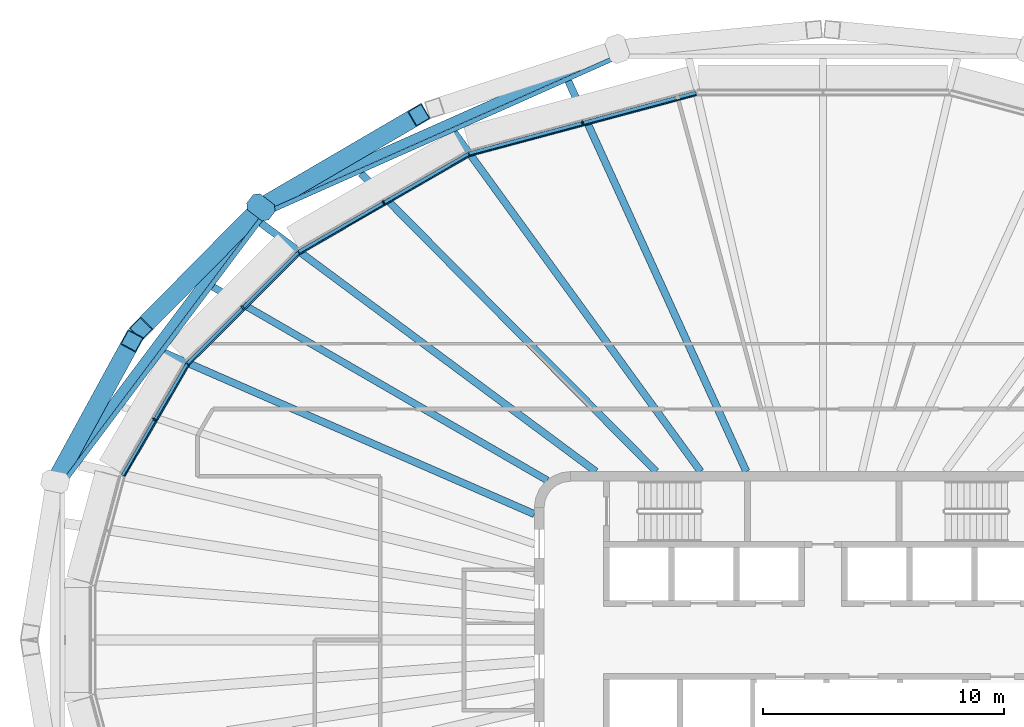
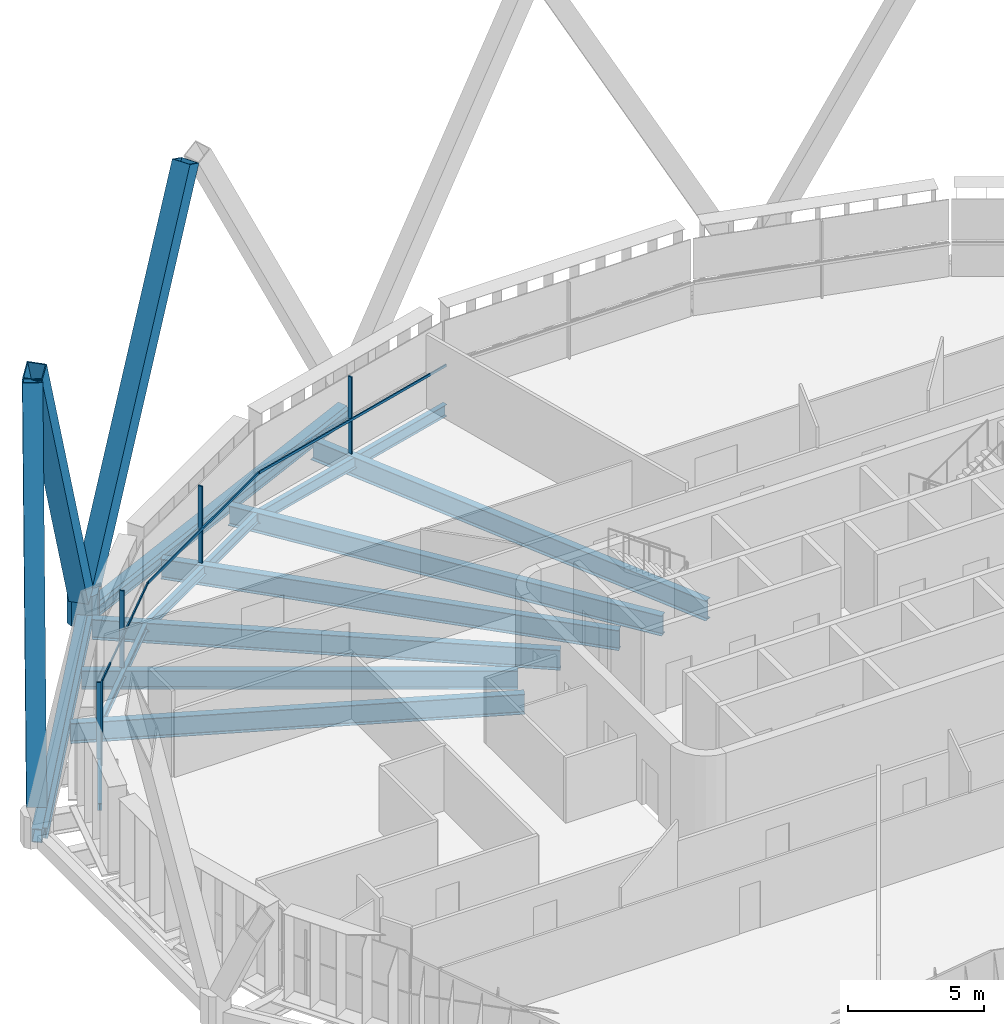
# One storey, part 7 of 22: 14 beams, 12 members, 4 elements without a shape of their own.
"""IFC4 building model written with IfcOpenShell, lengths in metres."""

from ifc_helpers import new_model, si_unit, direction, frame, origin, origin_2d, place, context, subcontext, project, spatial, polyline, rectangle, hollow_rectangle, i_section, outline, extrude, material, layer, layer_set, material_profile, profile_set, type_object, element, aggregate, save


model = new_model("IFC4")

# Units and contexts
model_context = context("Model", 3, precision=1e-05, world=origin(), true_north=direction((0.0, 1.0)))
body_context = subcontext(model_context, "Body", "Model", "MODEL_VIEW")
ifc_project = project(units=[si_unit("LENGTHUNIT", "METRE"), si_unit("AREAUNIT", "SQUARE_METRE"), si_unit("VOLUMEUNIT", "CUBIC_METRE"), si_unit("PLANEANGLEUNIT", "RADIAN"), si_unit("MASSUNIT", "GRAM", prefix="KILO")], contexts=[model_context])

# Site, building, storey
site_placement = place(None, origin())
site = spatial("IfcSite", under=ifc_project, at=site_placement, CompositionType="ELEMENT")
building_placement = place(site_placement, origin())
building = spatial("IfcBuilding", under=site, at=building_placement, Name="Sahrelin Media Tower", CompositionType="ELEMENT")
storey_placement = place(building_placement, frame((0.0, 0.0, 233.60009765625)))
storey = spatial("IfcBuildingStorey", under=building, at=storey_placement, Name="L50", CompositionType="ELEMENT", Elevation=233.60009765625)

# Members
ifc_material_1 = material(Name="Steel S460", Category="steel")
ifc_material_profile_1 = material_profile(ifc_material_1, hollow_rectangle(XDim=0.75, YDim=0.75, WallThickness=0.0400390625, at=origin_2d()), Name="Diagrid diagonal DG6")
ifc_profile_set_1 = profile_set([ifc_material_profile_1], Name="Steel S460")
member_type_1 = type_object("IfcMemberType", Name="Diagrid diagonal DG6", PredefinedType="BRACE", material=ifc_profile_set_1)
member_1_placement = place(storey_placement, frame((-23.065185546875, 18.159912109375, 0.699951171875), z_axis=(0.384260974099, 0.22458774364, 0.895490842606), x_axis=(-0.504600914785, 0.863352718649, 0.0)))
element("IfcMember", 1, at=member_1_placement, inside=storey, type_object=member_type_1, Name="Diagrid diagonal D11-08", PredefinedType="BRACE", context=body_context, shape_type="SweptSolid", body=[
    extrude(hollow_rectangle(XDim=0.75, YDim=0.75, WallThickness=0.0400390625, at=origin_2d()), origin(), (0.0, 0.0, 1.0), 16.3037109375),
])
member_2_placement = place(storey_placement, frame((-23.59375, 17.75341796875, 0.699951171875), z_axis=(-0.295554032604, -0.299619341613, 0.90712516443), x_axis=(0.711920039863, -0.70226053345, 0.0)))
element("IfcMember", 2, at=member_2_placement, inside=storey, type_object=member_type_1, Name="Diagrid diagonal D11-09", PredefinedType="BRACE", context=body_context, shape_type="SweptSolid", body=[
    extrude(hollow_rectangle(XDim=0.75, YDim=0.75, WallThickness=0.0400390625, at=origin_2d()), origin(), (0.0, 0.0, 1.0), 16.0947265625),
])
member_3_placement = place(storey_placement, frame((-31.772216796875, 6.850341796875, 0.699951171875), z_axis=(0.191358854383, 0.350523060937, 0.916796254683), x_axis=(-0.877722398999, 0.47916947972, 0.0)))
element("IfcMember", 3, at=member_3_placement, inside=storey, type_object=member_type_1, Name="Diagrid diagonal D11-10", PredefinedType="BRACE", context=body_context, shape_type="SweptSolid", body=[
    extrude(hollow_rectangle(XDim=0.75, YDim=0.75, WallThickness=0.0400390625, at=origin_2d()), origin(), (0.0, 0.0, 1.0), 15.9248046875),
])
ifc_material_profile_2 = material_profile(ifc_material_1, outline(polyline([(0.375, -0.425048828125), (0.574951171875, -0.22509765625), (0.574951171875, 0.22509765625), (0.375, 0.425048828125), (-0.375, 0.425048828125), (-0.574951171875, 0.22509765625), (-0.574951171875, -0.22509765625), (-0.375, -0.425048828125), (0.375, -0.425048828125)])), Name="Diagrid node block 1150")
ifc_profile_set_2 = profile_set([ifc_material_profile_2], Name="Steel S460")
member_type_2 = type_object("IfcMemberType", Name="Diagrid node block 1150", PredefinedType="USERDEFINED", material=ifc_profile_set_2)
member_4_placement = place(storey_placement, frame((-23.36572265625, 17.984619140625, -0.7001953125), z_axis=(0.0, 0.0, 1.0), x_axis=(-0.792445093645, 0.609943254376, 0.0)))
element("IfcMember", 4, at=member_4_placement, inside=storey, type_object=member_type_2, Name="Diagrid node N11-04", ObjectType="NODE", PredefinedType="USERDEFINED", context=body_context, shape_type="SweptSolid", body=[
    extrude(outline(polyline([(0.375, -0.425048828125), (0.574951171875, -0.22509765625), (0.574951171875, 0.22509765625), (0.375, 0.425048828125), (-0.375, 0.425048828125), (-0.574951171875, 0.22509765625), (-0.574951171875, -0.22509765625), (-0.375, -0.425048828125), (0.375, -0.425048828125)])), origin(), (0.0, 0.0, 1.0), 1.400146484375),
])

# Beams
ifc_material_profile_3 = material_profile(ifc_material_1, hollow_rectangle(XDim=0.39990234375, YDim=0.60009765625, WallThickness=0.030029296875, at=origin_2d()), Name="Diagrid ring beam RB1")
ifc_profile_set_3 = profile_set([ifc_material_profile_3], Name="Steel S460")
beam_type_1 = type_object("IfcBeamType", Name="Diagrid ring beam RB1", PredefinedType="BEAM", material=ifc_profile_set_3)
beam_1_placement = place(storey_placement, frame((-8.552490234375, 24.5673828125, -0.4501953125), z_axis=(-0.91383204297, -0.406092350632, 0.0), x_axis=(0.406092350632, -0.91383204297, 0.0)))
element("IfcBeam", 5, at=beam_1_placement, inside=storey, type_object=beam_type_1, Name="Diagrid ring beam RB11-03", PredefinedType="BEAM", context=body_context, shape_type="SweptSolid", body=[
    extrude(hollow_rectangle(XDim=0.39990234375, YDim=0.60009765625, WallThickness=0.030029296875, at=origin_2d()), origin(), (0.0, 0.0, 1.0), 16.2099609375),
])
beam_2_placement = place(storey_placement, frame((-23.36572265625, 17.984619140625, -0.4501953125), z_axis=(-0.600049330653, -0.799962999634, 0.0), x_axis=(0.799962999634, -0.600049330653, 0.0)))
element("IfcBeam", 6, at=beam_2_placement, inside=storey, type_object=beam_type_1, Name="Diagrid ring beam RB11-04", PredefinedType="BEAM", context=body_context, shape_type="SweptSolid", body=[
    extrude(hollow_rectangle(XDim=0.39990234375, YDim=0.60009765625, WallThickness=0.030029296875, at=origin_2d()), origin(), (0.0, 0.0, 1.0), 14.2529296875),
])
ifc_material_2 = material(Name="Steel S355", Category="steel")
ifc_material_profile_4 = material_profile(ifc_material_2, i_section(OverallWidth=0.1650390625, OverallDepth=0.303466796875, WebThickness=0.006103515625, FlangeThickness=0.01025390625, FilletRadius=0.0087890625, at=origin_2d()), Name="UB 305x165x40")
ifc_profile_set_4 = profile_set([ifc_material_profile_4], Name="Steel S355")
beam_type_2 = type_object("IfcBeamType", Name="Edge beam EB2", PredefinedType="BEAM", material=ifc_profile_set_4)
beam_3_placement = place(storey_placement, frame((-29.095458984375, 6.83056640625, -0.3017578125), z_axis=(0.500026652407, 0.866010015463, 0.0), x_axis=(-0.866010015463, 0.500026652407, 0.0)))
element("IfcBeam", 7, at=beam_3_placement, inside=storey, type_object=beam_type_2, Name="Edge beam L50-15", PredefinedType="BEAM", context=body_context, shape_type="SweptSolid", body=[
    extrude(i_section(OverallWidth=0.1650390625, OverallDepth=0.303466796875, WebThickness=0.006103515625, FlangeThickness=0.01025390625, FilletRadius=0.0087890625, at=origin_2d()), origin(), (0.0, 0.0, 1.0), 5.349365234375),
])
ifc_material_profile_5 = material_profile(ifc_material_2, i_section(OverallWidth=0.17138671875, OverallDepth=0.35498046875, WebThickness=0.00732421875, FlangeThickness=0.011474609375, FilletRadius=0.01025390625, at=origin_2d()), Name="UB 356x171x51")
ifc_profile_set_5 = profile_set([ifc_material_profile_5], Name="Steel S355")
beam_type_3 = type_object("IfcBeamType", Name="Edge beam EB3", PredefinedType="BEAM", material=ifc_profile_set_5)
beam_4_placement = place(storey_placement, frame((-26.4033203125, 11.486083984375, -0.32763671875), z_axis=(0.707106781187, 0.707106781187, 0.0), x_axis=(-0.707106781187, 0.707106781187, 0.0)))
element("IfcBeam", 8, at=beam_4_placement, inside=storey, type_object=beam_type_3, Name="Edge beam L50-16", PredefinedType="BEAM", context=body_context, shape_type="SweptSolid", body=[
    extrude(i_section(OverallWidth=0.17138671875, OverallDepth=0.35498046875, WebThickness=0.00732421875, FlangeThickness=0.011474609375, FilletRadius=0.01025390625, at=origin_2d()), origin(), (0.0, 0.0, 1.0), 6.51416015625),
])
ifc_material_profile_6 = material_profile(ifc_material_2, i_section(OverallWidth=0.1904296875, OverallDepth=0.45703125, WebThickness=0.009033203125, FlangeThickness=0.014404296875, FilletRadius=0.01025390625, at=origin_2d()), Name="UB 457x191x74")
ifc_profile_set_6 = profile_set([ifc_material_profile_6], Name="Steel S355")
beam_type_4 = type_object("IfcBeamType", Name="Edge beam EB5", PredefinedType="BEAM", material=ifc_profile_set_6)
beam_5_placement = place(storey_placement, frame((-21.774169921875, 16.10986328125, -0.378662109375), z_axis=(0.866022173658, 0.500005594701, 0.0), x_axis=(-0.500005594701, 0.866022173658, 0.0)))
element("IfcBeam", 9, at=beam_5_placement, inside=storey, type_object=beam_type_4, Name="Edge beam L50-17", PredefinedType="BEAM", context=body_context, shape_type="SweptSolid", body=[
    extrude(i_section(OverallWidth=0.1904296875, OverallDepth=0.45703125, WebThickness=0.009033203125, FlangeThickness=0.014404296875, FilletRadius=0.01025390625, at=origin_2d()), origin(), (0.0, 0.0, 1.0), 8.1357421875),
])
ifc_material_profile_7 = material_profile(ifc_material_2, i_section(OverallWidth=0.208740234375, OverallDepth=0.5283203125, WebThickness=0.009521484375, FlangeThickness=0.01318359375, FilletRadius=0.0126953125, at=origin_2d()), Name="UB 533x210x82")
ifc_profile_set_7 = profile_set([ifc_material_profile_7], Name="Steel S355")
beam_type_5 = type_object("IfcBeamType", Name="Edge beam EB6", PredefinedType="BEAM", material=ifc_profile_set_7)
beam_6_placement = place(storey_placement, frame((-14.701904296875, 20.188720703125, -0.414306640625), z_axis=(0.965929187001, 0.258806502428, 0.0), x_axis=(-0.258806502428, 0.965929187001, 0.0)))
element("IfcBeam", 10, at=beam_6_placement, inside=storey, type_object=beam_type_5, Name="Edge beam L50-18", PredefinedType="BEAM", context=body_context, shape_type="SweptSolid", body=[
    extrude(i_section(OverallWidth=0.208740234375, OverallDepth=0.5283203125, WebThickness=0.009521484375, FlangeThickness=0.01318359375, FilletRadius=0.0126953125, at=origin_2d()), origin(), (0.0, 0.0, 1.0), 9.762451171875),
])

# Curtain wall, member
ifc_material_3 = material(Name="Champagne anodised aluminium 6063-T6", Category="aluminium")
ifc_layer = layer(ifc_material_3, 0.14990234375)
ifc_layer_set = layer_set([ifc_layer], Name="Tower ribbon curtain wall")
curtain_wall_type = type_object("IfcCurtainWallType", Name="Tower ribbon curtain wall", PredefinedType="NOTDEFINED", material=ifc_layer_set)
curtain_wall_1_placement = place(storey_placement, frame((-10.025634765625, 21.596923828125, 0.0), z_axis=(0.0, 0.0, 1.0), x_axis=(1.0, 0.0, 0.0)))
curtain_wall_1 = element("IfcCurtainWall", 11, at=curtain_wall_1_placement, inside=storey, type_object=curtain_wall_type, Name="L50:CW:L50-07", PredefinedType="NOTDEFINED")
ifc_material_profile_8 = material_profile(ifc_material_3, rectangle(XDim=0.06005859375, YDim=0.175048828125, at=origin_2d()), Name="Mullion 60x175")
ifc_profile_set_8 = profile_set([ifc_material_profile_8], Name="Champagne anodised aluminium 6063-T6")
member_type_3 = type_object("IfcMemberType", Name="Mullion 60x175 CW1B", PredefinedType="MULLION", material=ifc_profile_set_8)
member_5_placement = place(storey_placement, frame((-9.997802734375, 21.4931640625, 0.0), z_axis=(0.0, 0.0, 1.0), x_axis=(-0.965925826289, -0.258819045103, 0.0)))
member_5 = element("IfcMember", 12, at=member_5_placement, type_object=member_type_3, Name="L50:CWM:L50-07", PredefinedType="MULLION", context=body_context, shape_type="SweptSolid", body=[
    extrude(rectangle(XDim=0.06005859375, YDim=0.175048828125, at=origin_2d()), origin(), (0.0, 0.0, 1.0), 3.448486328125),
])

curtain_wall_2_placement = place(storey_placement, frame((-18.326416015625, 18.273681640625, 0.0), z_axis=(0.0, 0.0, 1.0), x_axis=(1.0, 0.0, 0.0)))
curtain_wall_2 = element("IfcCurtainWall", 13, at=curtain_wall_2_placement, inside=storey, type_object=curtain_wall_type, Name="L50:CW:L50-08", PredefinedType="NOTDEFINED")
member_6_placement = place(storey_placement, frame((-18.272705078125, 18.1806640625, 0.0), z_axis=(0.0, 0.0, 1.0), x_axis=(-0.866027149108, -0.499996976998, 0.0)))
member_6 = element("IfcMember", 14, at=member_6_placement, type_object=member_type_3, Name="L50:CWM:L50-08", PredefinedType="MULLION", context=body_context, shape_type="SweptSolid", body=[
    extrude(rectangle(XDim=0.06005859375, YDim=0.175048828125, at=origin_2d()), origin(), (0.0, 0.0, 1.0), 3.448486328125),
])

curtain_wall_3_placement = place(storey_placement, frame((-24.206298828125, 13.895263671875, 0.0), z_axis=(0.0, 0.0, 1.0), x_axis=(1.0, 0.0, 0.0)))
curtain_wall_3 = element("IfcCurtainWall", 15, at=curtain_wall_3_placement, inside=storey, type_object=curtain_wall_type, Name="L50:CW:L50-09", PredefinedType="NOTDEFINED")
member_7_placement = place(storey_placement, frame((-24.130126953125, 13.819091796875, 0.0), z_axis=(0.0, 0.0, 1.0), x_axis=(-0.707099376343, -0.707114185953, 0.0)))
member_7 = element("IfcMember", 16, at=member_7_placement, type_object=member_type_3, Name="L50:CWM:L50-09", PredefinedType="MULLION", context=body_context, shape_type="SweptSolid", body=[
    extrude(rectangle(XDim=0.06005859375, YDim=0.175048828125, at=origin_2d()), origin(), (0.0, 0.0, 1.0), 3.448486328125),
])

curtain_wall_4_placement = place(storey_placement, frame((-27.887939453125, 9.221923828125, 0.0), z_axis=(0.0, 0.0, 1.0), x_axis=(1.0, 0.0, 0.0)))
curtain_wall_4 = element("IfcCurtainWall", 17, at=curtain_wall_4_placement, inside=storey, type_object=curtain_wall_type, Name="L50:CW:L50-10", PredefinedType="NOTDEFINED")
member_8_placement = place(storey_placement, frame((-27.794921875, 9.168212890625, 0.0), z_axis=(0.0, 0.0, 1.0), x_axis=(-0.500001511499, -0.866024531118, 0.0)))
member_8 = element("IfcMember", 18, at=member_8_placement, type_object=member_type_3, Name="L50:CWM:L50-10", PredefinedType="MULLION", context=body_context, shape_type="SweptSolid", body=[
    extrude(rectangle(XDim=0.06005859375, YDim=0.175048828125, at=origin_2d()), origin(), (0.0, 0.0, 1.0), 3.448486328125),
])

# Beams
ifc_material_profile_9 = material_profile(ifc_material_2, i_section(OverallWidth=0.30322265625, OverallDepth=0.903076171875, WebThickness=0.01513671875, FlangeThickness=0.020263671875, FilletRadius=0.01904296875, at=origin_2d()), Name="UB 914x305x201")
ifc_profile_set_9 = profile_set([ifc_material_profile_9], Name="Steel S355")
beam_type_6 = type_object("IfcBeamType", Name="Radial primary beam PB11", PredefinedType="BEAM", material=ifc_profile_set_9)
beam_7_placement = place(storey_placement, frame((-5.088134765625, 7.0, -0.6015625), z_axis=(-0.587974519617, 0.808879449783, 0.0), x_axis=(-0.808879449783, -0.587974519617, 0.0)))
element("IfcBeam", 19, at=beam_7_placement, inside=storey, type_object=beam_type_6, Name="Radial beam L50-08", PredefinedType="BEAM", context=body_context, shape_type="SweptSolid", body=[
    extrude(i_section(OverallWidth=0.30322265625, OverallDepth=0.903076171875, WebThickness=0.01513671875, FlangeThickness=0.020263671875, FilletRadius=0.01904296875, at=origin_2d()), origin(), (0.0, 0.0, 1.0), 17.44970703125),
])
beam_8_placement = place(storey_placement, frame((-9.440673828125, 7.0, -0.6015625), z_axis=(-0.803276687883, 0.595606046564, 0.0), x_axis=(-0.595606046564, -0.803276687883, 0.0)))
element("IfcBeam", 20, at=beam_8_placement, inside=storey, type_object=beam_type_6, Name="Radial beam L50-09", PredefinedType="BEAM", context=body_context, shape_type="SweptSolid", body=[
    extrude(i_section(OverallWidth=0.30322265625, OverallDepth=0.903076171875, WebThickness=0.01513671875, FlangeThickness=0.020263671875, FilletRadius=0.01904296875, at=origin_2d()), origin(), (0.0, 0.0, 1.0), 17.335693359375),
])
beam_9_placement = place(storey_placement, frame((-12.0, 5.231689453125, -0.6015625), z_axis=(-0.91667085004, 0.399643031575, 0.0), x_axis=(-0.399643031575, -0.91667085004, 0.0)))
element("IfcBeam", 21, at=beam_9_placement, inside=storey, type_object=beam_type_6, Name="Radial beam L50-10", PredefinedType="BEAM", context=body_context, shape_type="SweptSolid", body=[
    extrude(i_section(OverallWidth=0.30322265625, OverallDepth=0.903076171875, WebThickness=0.01513671875, FlangeThickness=0.020263671875, FilletRadius=0.01904296875, at=origin_2d()), origin(), (0.0, 0.0, 1.0), 16.80078125),
])
ifc_material_profile_10 = material_profile(ifc_material_2, i_section(OverallWidth=0.291748046875, OverallDepth=0.8349609375, WebThickness=0.013916015625, FlangeThickness=0.018798828125, FilletRadius=0.017822265625, at=origin_2d()), Name="UB 838x292x176")
ifc_profile_set_10 = profile_set([ifc_material_profile_10], Name="Steel S355")
beam_type_7 = type_object("IfcBeamType", Name="Radial secondary beam SB10", PredefinedType="BEAM", material=ifc_profile_set_10)
beam_10_placement = place(storey_placement, frame((-11.46484375, 6.63427734375, -0.567626953125), z_axis=(-0.865538050782, 0.50084317171, 0.0), x_axis=(-0.50084317171, -0.865538050782, 0.0)))
element("IfcBeam", 22, at=beam_10_placement, inside=storey, type_object=beam_type_7, Name="Secondary beam L50-09", PredefinedType="BEAM", context=body_context, shape_type="SweptSolid", body=[
    extrude(i_section(OverallWidth=0.291748046875, OverallDepth=0.8349609375, WebThickness=0.013916015625, FlangeThickness=0.018798828125, FilletRadius=0.017822265625, at=origin_2d()), origin(), (0.0, 0.0, 1.0), 16.049072265625),
])
ifc_material_profile_11 = material_profile(ifc_material_2, i_section(OverallWidth=0.30322265625, OverallDepth=0.903076171875, WebThickness=0.01513671875, FlangeThickness=0.020263671875, FilletRadius=0.01904296875, at=origin_2d()), Name="UB 914x305x201")
ifc_profile_set_11 = profile_set([ifc_material_profile_11], Name="Steel S355")
beam_type_8 = type_object("IfcBeamType", Name="Radial secondary beam SB11", PredefinedType="BEAM", material=ifc_profile_set_11)
beam_11_placement = place(storey_placement, frame((-3.190673828125, 7.0, -0.6015625), z_axis=(-0.414752517697, 0.909934255353, 0.0), x_axis=(-0.909934255353, -0.414752517697, 0.0)))
element("IfcBeam", 23, at=beam_11_placement, inside=storey, type_object=beam_type_8, Name="Secondary beam L50-07", PredefinedType="BEAM", context=body_context, shape_type="SweptSolid", body=[
    extrude(i_section(OverallWidth=0.30322265625, OverallDepth=0.903076171875, WebThickness=0.01513671875, FlangeThickness=0.020263671875, FilletRadius=0.01904296875, at=origin_2d()), origin(), (0.0, 0.0, 1.0), 17.83642578125),
])
beam_12_placement = place(storey_placement, frame((-6.93408203125, 7.0, -0.6015625), z_axis=(-0.703747860582, 0.7104498214, 0.0), x_axis=(-0.7104498214, -0.703747860582, 0.0)))
element("IfcBeam", 24, at=beam_12_placement, inside=storey, type_object=beam_type_8, Name="Secondary beam L50-08", PredefinedType="BEAM", context=body_context, shape_type="SweptSolid", body=[
    extrude(i_section(OverallWidth=0.30322265625, OverallDepth=0.903076171875, WebThickness=0.01513671875, FlangeThickness=0.020263671875, FilletRadius=0.01904296875, at=origin_2d()), origin(), (0.0, 0.0, 1.0), 17.44921875),
])
ifc_material_profile_12 = material_profile(ifc_material_2, i_section(OverallWidth=0.1904296875, OverallDepth=0.45703125, WebThickness=0.009033203125, FlangeThickness=0.014404296875, FilletRadius=0.01025390625, at=origin_2d()), Name="UB 457x191x74")
ifc_profile_set_12 = profile_set([ifc_material_profile_12], Name="Steel S355")
beam_type_9 = type_object("IfcBeamType", Name="Tie chord TC5", PredefinedType="BEAM", material=ifc_profile_set_12)
beam_13_placement = place(storey_placement, frame((-31.617919921875, 6.482666015625, -0.378662109375), z_axis=(0.600049955292, 0.799962531094, 0.0), x_axis=(-0.799962531094, 0.600049955292, 0.0)))
element("IfcBeam", 25, at=beam_13_placement, inside=storey, type_object=beam_type_9, Name="Tie chord L50-08", PredefinedType="BEAM", context=body_context, shape_type="SweptSolid", body=[
    extrude(i_section(OverallWidth=0.1904296875, OverallDepth=0.45703125, WebThickness=0.009033203125, FlangeThickness=0.014404296875, FilletRadius=0.01025390625, at=origin_2d()), origin(), (0.0, 0.0, 1.0), 14.07470703125),
])
beam_14_placement = place(storey_placement, frame((-23.17236328125, 17.741943359375, -0.378662109375), z_axis=(0.913832223904, 0.406091943474, 0.0), x_axis=(-0.406091943474, 0.913832223904, 0.0)))
element("IfcBeam", 26, at=beam_14_placement, inside=storey, type_object=beam_type_9, Name="Tie chord L50-09", PredefinedType="BEAM", context=body_context, shape_type="SweptSolid", body=[
    extrude(i_section(OverallWidth=0.1904296875, OverallDepth=0.45703125, WebThickness=0.009033203125, FlangeThickness=0.014404296875, FilletRadius=0.01025390625, at=origin_2d()), origin(), (0.0, 0.0, 1.0), 16.068115234375),
])

# Member
ifc_material_profile_13 = material_profile(ifc_material_3, rectangle(XDim=0.050048828125, YDim=0.110107421875, at=origin_2d()), Name="Transom 50x110")
ifc_profile_set_13 = profile_set([ifc_material_profile_13], Name="Champagne anodised aluminium 6063-T6")
member_type_4 = type_object("IfcMemberType", Name="Transom 50x110 CW1B", PredefinedType="USERDEFINED", material=ifc_profile_set_13)
member_9_placement = place(storey_placement, frame((-5.26904296875, 22.643798828125, 1.599853515625), z_axis=(-0.965921510089, -0.258835152843, 0.0), x_axis=(0.258835152843, -0.965921510089, 0.0)))
member_9 = element("IfcMember", 27, at=member_9_placement, type_object=member_type_4, Name="L50:CWT:L50-07", ObjectType="TRANSOM", PredefinedType="USERDEFINED", context=body_context, shape_type="SweptSolid", body=[
    extrude(rectangle(XDim=0.050048828125, YDim=0.110107421875, at=origin_2d()), origin(), (0.0, 0.0, 1.0), 9.731201171875),
])

aggregate(curtain_wall_1, [member_5, member_9])

member_10_placement = place(storey_placement, frame((-14.70703125, 20.109130859375, 1.599853515625), z_axis=(-0.866034085284, -0.4999849629, 0.0), x_axis=(0.4999849629, -0.866034085284, 0.0)))
member_10 = element("IfcMember", 28, at=member_10_placement, type_object=member_type_4, Name="L50:CWT:L50-08", ObjectType="TRANSOM", PredefinedType="USERDEFINED", context=body_context, shape_type="SweptSolid", body=[
    extrude(rectangle(XDim=0.050048828125, YDim=0.110107421875, at=origin_2d()), origin(), (0.0, 0.0, 1.0), 8.104248046875),
])

aggregate(curtain_wall_2, [member_6, member_10])

member_11_placement = place(storey_placement, frame((-21.7587890625, 16.03173828125, 1.599853515625), z_axis=(-0.707087950365, -0.707125611507, 0.0), x_axis=(0.707125611507, -0.707087950365, 0.0)))
member_11 = element("IfcMember", 29, at=member_11_placement, type_object=member_type_4, Name="L50:CWT:L50-09", ObjectType="TRANSOM", PredefinedType="USERDEFINED", context=body_context, shape_type="SweptSolid", body=[
    extrude(rectangle(XDim=0.050048828125, YDim=0.110107421875, at=origin_2d()), origin(), (0.0, 0.0, 1.0), 6.482666015625),
])

aggregate(curtain_wall_3, [member_7, member_11])

member_12_placement = place(storey_placement, frame((-26.367919921875, 11.41455078125, 1.599853515625), z_axis=(-0.500029766052, -0.866008217664, 0.0), x_axis=(0.866008217664, -0.500029766052, 0.0)))
member_12 = element("IfcMember", 30, at=member_12_placement, type_object=member_type_4, Name="L50:CWT:L50-10", ObjectType="TRANSOM", PredefinedType="USERDEFINED", context=body_context, shape_type="SweptSolid", body=[
    extrude(rectangle(XDim=0.050048828125, YDim=0.110107421875, at=origin_2d()), origin(), (0.0, 0.0, 1.0), 5.318115234375),
])

aggregate(curtain_wall_4, [member_8, member_12])

save(model, "model.ifc")
